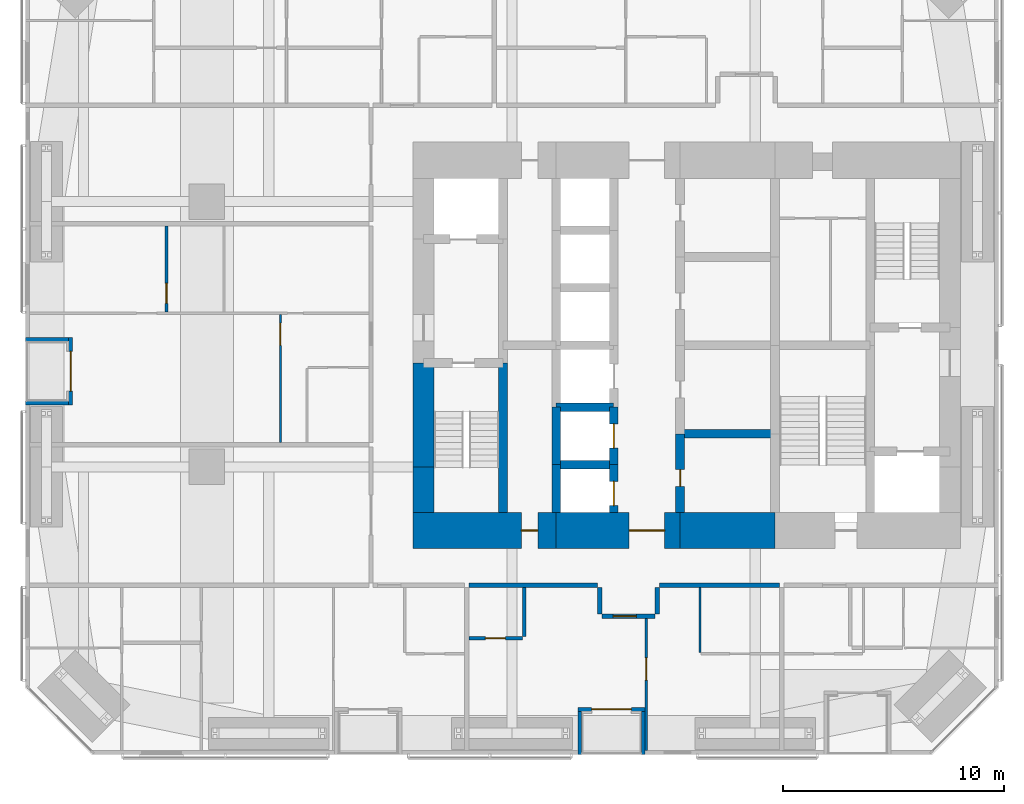
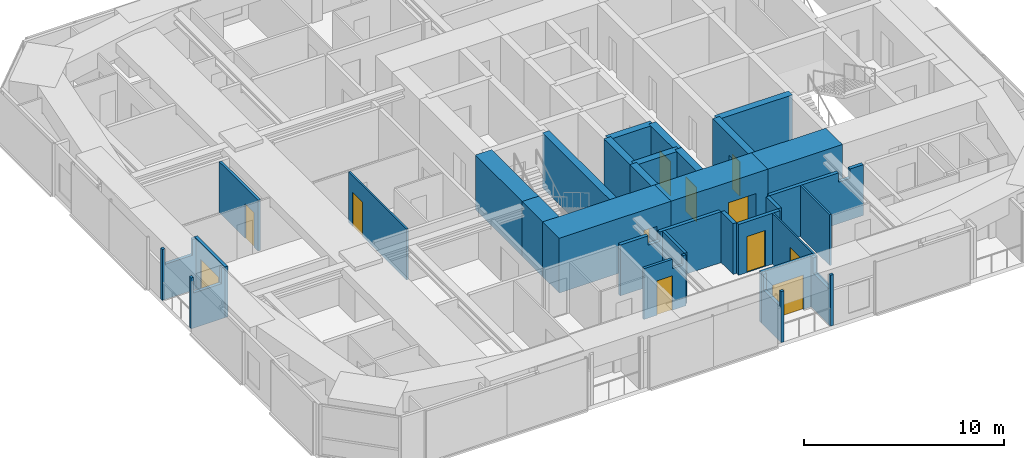
# One storey, part 17 of 23: 31 walls, 12 doors, 12 openings.
"""IFC4 building model written with IfcOpenShell, lengths in metres."""

from ifc_helpers import new_model, si_unit, direction, frame, frame_2d, origin, place, context, subcontext, project, spatial, polyline, rectangle, outline, extrude, material, layer, layer_set, constituent, constituent_set, type_object, element, fill, save


model = new_model("IFC4")

# Units and contexts
model_context = context("Model", 3, precision=1e-05, world=origin(), true_north=direction((0.0, 1.0)))
body_context = subcontext(model_context, "Body", "Model", "MODEL_VIEW")
ifc_project = project(units=[si_unit("LENGTHUNIT", "METRE"), si_unit("AREAUNIT", "SQUARE_METRE"), si_unit("VOLUMEUNIT", "CUBIC_METRE"), si_unit("PLANEANGLEUNIT", "RADIAN"), si_unit("MASSUNIT", "GRAM", prefix="KILO")], contexts=[model_context])

# Site, building, storey
site_placement = place(None, origin())
site = spatial("IfcSite", under=ifc_project, at=site_placement, CompositionType="ELEMENT")
building_placement = place(site_placement, origin())
building = spatial("IfcBuilding", under=site, at=building_placement, Name="Jalousie Tower", CompositionType="ELEMENT")
storey_placement = place(building_placement, frame((0.0, 0.0, 34.39990234375)))
storey = spatial("IfcBuildingStorey", under=building, at=storey_placement, Name="L08", CompositionType="ELEMENT", Elevation=34.39990234375)

# Wall, opening, door
ifc_material_1 = material(Name="Concrete block ASTM C90", Category="concrete")
ifc_constituent_1 = constituent(ifc_material_1, Name="Body")
ifc_material_2 = material(Name="Render")
ifc_constituent_2 = constituent(ifc_material_2, Name="Finish")
ifc_constituent_set_1 = constituent_set(constituents=[ifc_constituent_1, ifc_constituent_2])
wall_type_1 = type_object("IfcWallType", Name="BATHROOM WALL 150", PredefinedType="PLUMBINGWALL", material=ifc_constituent_set_1)
wall_1_placement = place(storey_placement, frame((22.050048828125, 5.25, 0.0), z_axis=(0.0, 0.0, 1.0), x_axis=(1.0, 0.0, 0.0)))
wall_1 = element("IfcWall", 1, at=wall_1_placement, inside=storey, type_object=wall_type_1, Name="Bathroom Wall 150 L08", PredefinedType="PLUMBINGWALL", context=body_context, shape_type="SweptSolid", body=[
    extrude(outline(polyline([(0.0, 0.0), (2.425048828125, 0.0), (2.425048828125, 3.110107421875), (2.262451171875, 3.110107421875), (2.262451171875, 2.541015625), (1.6376953125, 2.541015625), (1.6376953125, 3.110107421875), (0.0, 3.110107421875), (0.0, 0.0)])), frame((0.0, 0.074951171875, 0.0), z_axis=(0.0, -1.0, 0.0), x_axis=(1.0, 0.0, 0.0)), (0.0, 0.0, 1.0), 0.14990234375),
])
opening_1_placement = place(wall_1_placement, frame((0.75, 0.0, 0.0)))
opening_1 = element("IfcOpeningElement", 2, at=opening_1_placement, cuts=wall_1, Name="Opening D3", PredefinedType="OPENING", context=body_context, shape_type="SweptSolid", body=[
    extrude(rectangle(XDim=0.89990234375, YDim=2.10009765625, at=frame_2d((0.449951171875, 1.050048828125))), frame((0.0, 0.0849609375, 0.0), z_axis=(0.0, -1.0, 0.0), x_axis=(1.0, 0.0, 0.0)), (0.0, 0.0, 1.0), 0.169921875),
])
ifc_material_3 = material(Name="Timber door", Category="wood")
door_type_1 = type_object("IfcDoorType", Name="BATHROOM DOOR 900", OperationType="SINGLE_SWING_LEFT", PredefinedType="DOOR", material=ifc_material_3)
door_1_placement = place(opening_1_placement, origin())
door_1 = element("IfcDoor", 3, at=door_1_placement, inside=storey, type_object=door_type_1, Name="Apartment 0802 bathroom door", OperationType="SINGLE_SWING_LEFT", OverallHeight=2.10009765625, OverallWidth=0.89990234375, PredefinedType="DOOR", context=body_context, shape_type="SweptSolid", body=[
    extrude(rectangle(XDim=0.89990234375, YDim=2.10009765625, at=frame_2d((0.449951171875, 1.050048828125))), frame((0.0, 0.02490234375, 0.0), z_axis=(0.0, -1.0, 0.0), x_axis=(1.0, 0.0, 0.0)), (0.0, 0.0, 1.0), 0.050048828125),
])
fill(opening_1, door_1)

# Wall
wall_2_placement = place(storey_placement, frame((24.550048828125, 5.324951171875, 0.0), z_axis=(0.0, 0.0, 1.0), x_axis=(0.0, 1.0, 0.0)))
element("IfcWall", 4, at=wall_2_placement, inside=storey, type_object=wall_type_1, Name="Bathroom Wall 150 L08", PredefinedType="PLUMBINGWALL", context=body_context, shape_type="SweptSolid", body=[
    extrude(rectangle(XDim=2.22509765625, YDim=0.14990234375, at=frame_2d((1.112548828125, 0.0))), origin(), (0.0, 0.0, 1.0), 3.110107421875),
])

# Wall, opening, door
wall_3_placement = place(storey_placement, frame((8.375, 20.0, 0.0), z_axis=(0.0, 0.0, 1.0), x_axis=(0.0, 1.0, 0.0)))
wall_3 = element("IfcWall", 5, at=wall_3_placement, inside=storey, type_object=wall_type_1, Name="Bathroom Wall 150 L08", PredefinedType="PLUMBINGWALL", context=body_context, shape_type="SweptSolid", body=[
    extrude(rectangle(XDim=3.89990234375, YDim=0.14990234375, at=frame_2d((1.949951171875, 0.0))), origin(), (0.0, 0.0, 1.0), 3.110107421875),
])
opening_2_placement = place(wall_3_placement, frame((0.39990234375, 0.0, 0.0)))
opening_2 = element("IfcOpeningElement", 6, at=opening_2_placement, cuts=wall_3, Name="Opening D3", PredefinedType="OPENING", context=body_context, shape_type="SweptSolid", body=[
    extrude(rectangle(XDim=0.89990234375, YDim=2.10009765625, at=frame_2d((0.449951171875, 1.050048828125))), frame((0.0, 0.0849609375, 0.0), z_axis=(0.0, -1.0, 0.0), x_axis=(1.0, 0.0, 0.0)), (0.0, 0.0, 1.0), 0.169921875),
])
door_2_placement = place(opening_2_placement, frame((0.89990234375, 0.0, 0.0), z_axis=(0.0, 0.0, 1.0), x_axis=(-1.0, 0.0, 0.0)))
door_2 = element("IfcDoor", 7, at=door_2_placement, inside=storey, type_object=door_type_1, Name="Apartment 0806 bedroom 1 bathroom door", OperationType="SINGLE_SWING_RIGHT", OverallHeight=2.10009765625, OverallWidth=0.89990234375, PredefinedType="DOOR", context=body_context, shape_type="SweptSolid", body=[
    extrude(rectangle(XDim=0.89990234375, YDim=2.10009765625, at=frame_2d((0.449951171875, 1.050048828125))), frame((0.0, 0.02490234375, 0.0), z_axis=(0.0, -1.0, 0.0), x_axis=(1.0, 0.0, 0.0)), (0.0, 0.0, 1.0), 0.050048828125),
])
fill(opening_2, door_2)

ifc_material_4 = material(Name="Concrete f'c 120 MPa", Category="concrete")
ifc_layer_1 = layer(ifc_material_4, 1.64990234375)
ifc_layer_set_1 = layer_set([ifc_layer_1], Name="Concrete f'c 120 MPa")
wall_type_2 = type_object("IfcWallType", Name="CORE WALL 1650", PredefinedType="SHEAR", material=ifc_layer_set_1)
wall_4_placement = place(storey_placement, frame((19.52490234375, 10.125, 0.0), z_axis=(0.0, 0.0, 1.0), x_axis=(1.0, 0.0, 0.0)))
wall_4 = element("IfcWall", 8, at=wall_4_placement, inside=storey, type_object=wall_type_2, Name="Core wall SA L08", PredefinedType="SHEAR", context=body_context, shape_type="SweptSolid", body=[
    extrude(rectangle(XDim=6.47509765625, YDim=1.64990234375, at=frame_2d((3.237548828125, 0.0))), origin(), (0.0, 0.0, 1.0), 3.35009765625),
])
opening_3_placement = place(wall_4_placement, frame((4.89990234375, 0.0, 0.0)))
opening_3 = element("IfcOpeningElement", 9, at=opening_3_placement, cuts=wall_4, Name="Opening D16", PredefinedType="OPENING", context=body_context, shape_type="SweptSolid", body=[
    extrude(rectangle(XDim=0.75, YDim=2.10009765625, at=frame_2d((0.375, 1.050048828125))), frame((0.0, 0.8349609375, 0.0), z_axis=(0.0, -1.0, 0.0), x_axis=(1.0, 0.0, 0.0)), (0.0, 0.0, 1.0), 1.669921875),
])
ifc_material_5 = material(Name="Steel fire door", Category="steel")
door_type_2 = type_object("IfcDoorType", Name="RISER DOOR 750", OperationType="SINGLE_SWING_LEFT", PredefinedType="DOOR", material=ifc_material_5)
door_3_placement = place(opening_3_placement, origin())
door_3 = element("IfcDoor", 10, at=door_3_placement, inside=storey, type_object=door_type_2, Name="South riser door", OperationType="SINGLE_SWING_LEFT", OverallHeight=2.10009765625, OverallWidth=0.75, PredefinedType="DOOR", context=body_context, shape_type="SweptSolid", body=[
    extrude(rectangle(XDim=0.75, YDim=2.10009765625, at=frame_2d((0.375, 1.050048828125))), frame((0.0, 0.02490234375, 0.0), z_axis=(0.0, -1.0, 0.0), x_axis=(1.0, 0.0, 0.0)), (0.0, 0.0, 1.0), 0.050048828125),
])
fill(opening_3, door_3)

wall_5_placement = place(storey_placement, frame((26.0, 10.125, 0.0), z_axis=(0.0, 0.0, 1.0), x_axis=(1.0, 0.0, 0.0)))
wall_5 = element("IfcWall", 11, at=wall_5_placement, inside=storey, type_object=wall_type_2, Name="Core wall SB L08", PredefinedType="SHEAR", context=body_context, shape_type="SweptSolid", body=[
    extrude(rectangle(XDim=5.60009765625, YDim=1.64990234375, at=frame_2d((2.800048828125, 0.0))), origin(), (0.0, 0.0, 1.0), 3.35009765625),
])
opening_4_placement = place(wall_5_placement, frame((3.300048828125, 0.0, 0.0)))
opening_4 = element("IfcOpeningElement", 12, at=opening_4_placement, cuts=wall_5, Name="Opening D15", PredefinedType="OPENING", context=body_context, shape_type="SweptSolid", body=[
    extrude(rectangle(XDim=1.60009765625, YDim=2.10009765625, at=frame_2d((0.800048828125, 1.050048828125))), frame((0.0, 0.8349609375, 0.0), z_axis=(0.0, -1.0, 0.0), x_axis=(1.0, 0.0, 0.0)), (0.0, 0.0, 1.0), 1.669921875),
])
ifc_material_6 = material(Name="Steel fire door", Category="steel")
door_type_3 = type_object("IfcDoorType", Name="LIFT LOBBY DOOR 1600", OperationType="DOUBLE_DOOR_SINGLE_SWING", PredefinedType="DOOR", material=ifc_material_6)
door_4_placement = place(opening_4_placement, origin())
door_4 = element("IfcDoor", 13, at=door_4_placement, inside=storey, type_object=door_type_3, Name="Lift lobby south door", OperationType="DOUBLE_DOOR_SINGLE_SWING", OverallHeight=2.10009765625, OverallWidth=1.60009765625, PredefinedType="DOOR", context=body_context, shape_type="SweptSolid", body=[
    extrude(rectangle(XDim=1.60009765625, YDim=2.10009765625, at=frame_2d((0.800048828125, 1.050048828125))), frame((0.0, 0.02490234375, 0.0), z_axis=(0.0, -1.0, 0.0), x_axis=(1.0, 0.0, 0.0)), (0.0, 0.0, 1.0), 0.050048828125),
])
fill(opening_4, door_4)

# Walls
wall_6_placement = place(storey_placement, frame((31.60009765625, 10.125, 0.0), z_axis=(0.0, 0.0, 1.0), x_axis=(1.0, 0.0, 0.0)))
element("IfcWall", 14, at=wall_6_placement, inside=storey, type_object=wall_type_2, Name="Core wall SC L08", PredefinedType="SHEAR", context=body_context, shape_type="SweptSolid", body=[
    extrude(rectangle(XDim=4.2998046875, YDim=1.64990234375, at=frame_2d((2.14990234375, 0.0))), origin(), (0.0, 0.0, 1.0), 3.35009765625),
])
ifc_material_7 = material(Name="Concrete f'c 120 MPa", Category="concrete")
ifc_layer_2 = layer(ifc_material_7, 0.39990234375)
ifc_layer_set_2 = layer_set([ifc_layer_2], Name="Concrete f'c 120 MPa")
wall_type_3 = type_object("IfcWallType", Name="CORE WALL 400", PredefinedType="SHEAR", material=ifc_layer_set_2)
wall_7_placement = place(storey_placement, frame((23.60009765625, 10.949951171875, 0.0), z_axis=(0.0, 0.0, 1.0), x_axis=(0.0, 1.0, 0.0)))
element("IfcWall", 15, at=wall_7_placement, inside=storey, type_object=wall_type_3, Name="Core wall X23.6A L08", PredefinedType="SHEAR", context=body_context, shape_type="SweptSolid", body=[
    extrude(rectangle(XDim=6.75, YDim=0.39990234375, at=frame_2d((3.375, 0.0))), origin(), (0.0, 0.0, 1.0), 3.35009765625),
])
wall_8_placement = place(storey_placement, frame((26.0, 10.949951171875, 0.0), z_axis=(0.0, 0.0, 1.0), x_axis=(0.0, 1.0, 0.0)))
element("IfcWall", 16, at=wall_8_placement, inside=storey, type_object=wall_type_3, Name="Core wall X26A L08", PredefinedType="SHEAR", context=body_context, shape_type="SweptSolid", body=[
    extrude(rectangle(XDim=2.150146484375, YDim=0.39990234375, at=frame_2d((1.0751953125, 0.0))), origin(), (0.0, 0.0, 1.0), 3.35009765625),
])
wall_9_placement = place(storey_placement, frame((26.0, 13.10009765625, 0.0), z_axis=(0.0, 0.0, 1.0), x_axis=(0.0, 1.0, 0.0)))
element("IfcWall", 17, at=wall_9_placement, inside=storey, type_object=wall_type_3, Name="Core wall X26B L08", PredefinedType="SHEAR", context=body_context, shape_type="SweptSolid", body=[
    extrude(rectangle(XDim=2.599853515625, YDim=0.39990234375, at=frame_2d((1.2998046875, 0.0))), origin(), (0.0, 0.0, 1.0), 3.35009765625),
])

# Wall, opening, door
wall_10_placement = place(storey_placement, frame((28.60009765625, 10.949951171875, 0.0), z_axis=(0.0, 0.0, 1.0), x_axis=(0.0, 1.0, 0.0)))
wall_10 = element("IfcWall", 18, at=wall_10_placement, inside=storey, type_object=wall_type_3, Name="Core wall X28.6A L08", PredefinedType="SHEAR", context=body_context, shape_type="SweptSolid", body=[
    extrude(rectangle(XDim=2.150146484375, YDim=0.39990234375, at=frame_2d((1.0751953125, 0.0))), origin(), (0.0, 0.0, 1.0), 3.35009765625),
])
opening_5_placement = place(wall_10_placement, frame((0.300048828125, 0.0, 0.0)))
opening_5 = element("IfcOpeningElement", 19, at=opening_5_placement, cuts=wall_10, Name="Opening LD1", PredefinedType="OPENING", context=body_context, shape_type="SweptSolid", body=[
    extrude(rectangle(XDim=1.10009765625, YDim=2.10009765625, at=frame_2d((0.550048828125, 1.050048828125))), frame((0.0, 0.2099609375, 0.0), z_axis=(0.0, -1.0, 0.0), x_axis=(1.0, 0.0, 0.0)), (0.0, 0.0, 1.0), 0.419921875),
])
ifc_material_8 = material(Name="Steel lift landing door", Category="steel")
door_type_4 = type_object("IfcDoorType", Name="LIFT LANDING DOOR 1100", OperationType="SLIDING_TO_LEFT", PredefinedType="DOOR", material=ifc_material_8)
door_5_placement = place(opening_5_placement, origin())
door_5 = element("IfcDoor", 20, at=door_5_placement, inside=storey, type_object=door_type_4, Name="Lift P1 landing door", OperationType="SLIDING_TO_LEFT", OverallHeight=2.10009765625, OverallWidth=1.10009765625, PredefinedType="DOOR", context=body_context, shape_type="SweptSolid", body=[
    extrude(rectangle(XDim=1.10009765625, YDim=2.10009765625, at=frame_2d((0.550048828125, 1.050048828125))), frame((0.0, 0.02490234375, 0.0), z_axis=(0.0, -1.0, 0.0), x_axis=(1.0, 0.0, 0.0)), (0.0, 0.0, 1.0), 0.050048828125),
])
fill(opening_5, door_5)

wall_11_placement = place(storey_placement, frame((28.60009765625, 13.10009765625, 0.0), z_axis=(0.0, 0.0, 1.0), x_axis=(0.0, 1.0, 0.0)))
wall_11 = element("IfcWall", 21, at=wall_11_placement, inside=storey, type_object=wall_type_3, Name="Core wall X28.6B L08", PredefinedType="SHEAR", context=body_context, shape_type="SweptSolid", body=[
    extrude(rectangle(XDim=2.599853515625, YDim=0.39990234375, at=frame_2d((1.2998046875, 0.0))), origin(), (0.0, 0.0, 1.0), 3.35009765625),
])
opening_6_placement = place(wall_11_placement, frame((0.75, 0.0, 0.0)))
opening_6 = element("IfcOpeningElement", 22, at=opening_6_placement, cuts=wall_11, Name="Opening LD1", PredefinedType="OPENING", context=body_context, shape_type="SweptSolid", body=[
    extrude(rectangle(XDim=1.10009765625, YDim=2.10009765625, at=frame_2d((0.550048828125, 1.050048828125))), frame((0.0, 0.2099609375, 0.0), z_axis=(0.0, -1.0, 0.0), x_axis=(1.0, 0.0, 0.0)), (0.0, 0.0, 1.0), 0.419921875),
])
door_6_placement = place(opening_6_placement, origin())
door_6 = element("IfcDoor", 23, at=door_6_placement, inside=storey, type_object=door_type_4, Name="Lift P2 landing door", OperationType="SLIDING_TO_LEFT", OverallHeight=2.10009765625, OverallWidth=1.10009765625, PredefinedType="DOOR", context=body_context, shape_type="SweptSolid", body=[
    extrude(rectangle(XDim=1.10009765625, YDim=2.10009765625, at=frame_2d((0.550048828125, 1.050048828125))), frame((0.0, 0.02490234375, 0.0), z_axis=(0.0, -1.0, 0.0), x_axis=(1.0, 0.0, 0.0)), (0.0, 0.0, 1.0), 0.050048828125),
])
fill(opening_6, door_6)

wall_12_placement = place(storey_placement, frame((31.60009765625, 10.949951171875, 0.0), z_axis=(0.0, 0.0, 1.0), x_axis=(0.0, 1.0, 0.0)))
wall_12 = element("IfcWall", 24, at=wall_12_placement, inside=storey, type_object=wall_type_3, Name="Core wall X31.6A L08", PredefinedType="SHEAR", context=body_context, shape_type="SweptSolid", body=[
    extrude(rectangle(XDim=3.550048828125, YDim=0.39990234375, at=frame_2d((1.77490234375, 0.0))), origin(), (0.0, 0.0, 1.0), 3.35009765625),
])
opening_7_placement = place(wall_12_placement, frame((1.175048828125, 0.0, 0.0)))
opening_7 = element("IfcOpeningElement", 25, at=opening_7_placement, cuts=wall_12, Name="Opening D16", PredefinedType="OPENING", context=body_context, shape_type="SweptSolid", body=[
    extrude(rectangle(XDim=0.75, YDim=2.10009765625, at=frame_2d((0.375, 1.050048828125))), frame((0.0, 0.2099609375, 0.0), z_axis=(0.0, -1.0, 0.0), x_axis=(1.0, 0.0, 0.0)), (0.0, 0.0, 1.0), 0.419921875),
])
door_7_placement = place(opening_7_placement, frame((0.75, 0.0, 0.0), z_axis=(0.0, 0.0, 1.0), x_axis=(-1.0, 0.0, 0.0)))
door_7 = element("IfcDoor", 26, at=door_7_placement, inside=storey, type_object=door_type_2, Name="Refuse Room door", OperationType="SINGLE_SWING_RIGHT", OverallHeight=2.10009765625, OverallWidth=0.75, PredefinedType="DOOR", context=body_context, shape_type="SweptSolid", body=[
    extrude(rectangle(XDim=0.75, YDim=2.10009765625, at=frame_2d((0.375, 1.050048828125))), frame((0.0, 0.02490234375, 0.0), z_axis=(0.0, -1.0, 0.0), x_axis=(1.0, 0.0, 0.0)), (0.0, 0.0, 1.0), 0.050048828125),
])
fill(opening_7, door_7)

# Walls
for number, where, z_axis, x_axis, name in (
    (27, (26.0, 13.10009765625, 0.0), (0.0, 0.0, 1.0), (1.0, 0.0, 0.0), "Core wall Y26-13.1 L08"),
    (28, (26.0, 15.699951171875, 0.0), (0.0, 0.0, 1.0), (1.0, 0.0, 0.0), "Core wall Y26-15.7 L08"),
):
    element("IfcWall", number, at=place(storey_placement, frame(where, z_axis=z_axis, x_axis=x_axis)), inside=storey, type_object=wall_type_3, Name=name, PredefinedType="SHEAR", context=body_context, shape_type="SweptSolid", body=[
        extrude(rectangle(XDim=2.60009765625, YDim=0.39990234375, at=frame_2d((1.300048828125, 0.0))), origin(), (0.0, 0.0, 1.0), 3.35009765625),
    ])
wall_13_placement = place(storey_placement, frame((31.60009765625, 14.5, 0.0), z_axis=(0.0, 0.0, 1.0), x_axis=(1.0, 0.0, 0.0)))
element("IfcWall", 29, at=wall_13_placement, inside=storey, type_object=wall_type_3, Name="Core wall Y31.6-14.5 L08", PredefinedType="SHEAR", context=body_context, shape_type="SweptSolid", body=[
    extrude(rectangle(XDim=4.2998046875, YDim=0.39990234375, at=frame_2d((2.14990234375, 0.0))), origin(), (0.0, 0.0, 1.0), 3.35009765625),
])
ifc_material_9 = material(Name="Concrete f'c 120 MPa", Category="concrete")
ifc_layer_3 = layer(ifc_material_9, 0.949951171875)
ifc_layer_set_3 = layer_set([ifc_layer_3], Name="Concrete f'c 120 MPa")
wall_type_4 = type_object("IfcWallType", Name="CORE WALL 950", PredefinedType="SHEAR", material=ifc_layer_set_3)
wall_14_placement = place(storey_placement, frame((20.0, 17.699951171875, 0.0), z_axis=(0.0, 0.0, 1.0), x_axis=(0.0, -1.0, 0.0)))
element("IfcWall", 30, at=wall_14_placement, inside=storey, type_object=wall_type_4, Name="Core wall WC L08", PredefinedType="SHEAR", context=body_context, shape_type="SweptSolid", body=[
    extrude(rectangle(XDim=4.699951171875, YDim=0.949951171875, at=frame_2d((2.35009765625, 0.0))), origin(), (0.0, 0.0, 1.0), 3.35009765625),
])
wall_15_placement = place(storey_placement, frame((20.0, 13.0, 0.0), z_axis=(0.0, 0.0, 1.0), x_axis=(0.0, -1.0, 0.0)))
element("IfcWall", 31, at=wall_15_placement, inside=storey, type_object=wall_type_4, Name="Core wall WD L08", PredefinedType="SHEAR", context=body_context, shape_type="SweptSolid", body=[
    extrude(rectangle(XDim=2.050048828125, YDim=0.949951171875, at=frame_2d((1.02490234375, 0.0))), origin(), (0.0, 0.0, 1.0), 3.35009765625),
])
ifc_material_10 = material(Name="Concrete block ASTM C90", Category="concrete")
ifc_constituent_3 = constituent(ifc_material_10, Name="Body")
ifc_material_11 = material(Name="Render")
ifc_constituent_4 = constituent(ifc_material_11, Name="Finish")
ifc_constituent_set_2 = constituent_set(constituents=[ifc_constituent_3, ifc_constituent_4])
wall_type_5 = type_object("IfcWallType", Name="CORRIDOR WALL 200", PredefinedType="PARTITIONING", material=ifc_constituent_set_2)
wall_16_placement = place(storey_placement, frame((22.050048828125, 7.64990234375, 0.0), z_axis=(0.0, 0.0, 1.0), x_axis=(1.0, 0.0, 0.0)))
element("IfcWall", 32, at=wall_16_placement, inside=storey, type_object=wall_type_5, Name="Corridor Wall 200 L08", PredefinedType="PARTITIONING", context=body_context, shape_type="SweptSolid", body=[
    extrude(outline(polyline([(0.0, 0.0), (5.824951171875, 0.0), (5.824951171875, 3.110107421875), (2.287353515625, 3.110107421875), (2.287353515625, 2.541015625), (1.612548828125, 2.541015625), (1.612548828125, 3.110107421875), (0.0, 3.110107421875), (0.0, 0.0)])), frame((0.0, 0.10009765625, 0.0), z_axis=(0.0, -1.0, 0.0), x_axis=(1.0, 0.0, 0.0)), (0.0, 0.0, 1.0), 0.199951171875),
])
wall_17_placement = place(storey_placement, frame((30.675048828125, 7.64990234375, 0.0), z_axis=(0.0, 0.0, 1.0), x_axis=(1.0, 0.0, 0.0)))
element("IfcWall", 33, at=wall_17_placement, inside=storey, type_object=wall_type_5, Name="Corridor Wall 200 L08", PredefinedType="PARTITIONING", context=body_context, shape_type="SweptSolid", body=[
    extrude(outline(polyline([(0.0, 0.0), (5.425048828125, 0.0), (5.425048828125, 3.110107421875), (4.662353515625, 3.110107421875), (4.662353515625, 2.541015625), (3.987548828125, 2.541015625), (3.987548828125, 3.110107421875), (0.0, 3.110107421875), (0.0, 0.0)])), frame((0.0, 0.10009765625, 0.0), z_axis=(0.0, -1.0, 0.0), x_axis=(1.0, 0.0, 0.0)), (0.0, 0.0, 1.0), 0.199951171875),
])

# Wall, opening, door
wall_18_placement = place(storey_placement, frame((28.074951171875, 6.25, 0.0), z_axis=(0.0, 0.0, 1.0), x_axis=(1.0, 0.0, 0.0)))
wall_18 = element("IfcWall", 34, at=wall_18_placement, inside=storey, type_object=wall_type_5, Name="Corridor Wall 200 L08", PredefinedType="PARTITIONING", context=body_context, shape_type="SweptSolid", body=[
    extrude(rectangle(XDim=2.400146484375, YDim=0.199951171875, at=frame_2d((1.2001953125, 0.0))), origin(), (0.0, 0.0, 1.0), 3.110107421875),
])
opening_8_placement = place(wall_18_placement, frame((0.5, 0.0, 0.0)))
opening_8 = element("IfcOpeningElement", 35, at=opening_8_placement, cuts=wall_18, Name="Opening D1", PredefinedType="OPENING", context=body_context, shape_type="SweptSolid", body=[
    extrude(rectangle(XDim=1.050048828125, YDim=2.199951171875, at=frame_2d((0.52490234375, 1.10009765625))), frame((0.0, 0.10986328125, 0.0), z_axis=(0.0, -1.0, 0.0), x_axis=(1.0, 0.0, 0.0)), (0.0, 0.0, 1.0), 0.219970703125),
])
ifc_material_12 = material(Name="Timber fire door", Category="wood")
door_type_5 = type_object("IfcDoorType", Name="APARTMENT ENTRANCE DOOR 1050", OperationType="SINGLE_SWING_LEFT", PredefinedType="DOOR", material=ifc_material_12)
door_8_placement = place(opening_8_placement, frame((1.050048828125, 0.0, 0.0), z_axis=(0.0, 0.0, 1.0), x_axis=(-1.0, 0.0, 0.0)))
door_8 = element("IfcDoor", 36, at=door_8_placement, inside=storey, type_object=door_type_5, Name="Apartment 0802 entrance", OperationType="SINGLE_SWING_LEFT", OverallHeight=2.199951171875, OverallWidth=1.050048828125, PredefinedType="DOOR", context=body_context, shape_type="SweptSolid", body=[
    extrude(rectangle(XDim=1.050048828125, YDim=2.199951171875, at=frame_2d((0.52490234375, 1.10009765625))), frame((0.0, 0.02490234375, 0.0), z_axis=(0.0, -1.0, 0.0), x_axis=(1.0, 0.0, 0.0)), (0.0, 0.0, 1.0), 0.050048828125),
])
fill(opening_8, door_8)

# Walls
for number, where, z_axis, x_axis, name in (
    (37, (27.97509765625, 7.550048828125, 0.0), (0.0, 0.0, 1.0), (0.0, -1.0, 0.0), "Corridor Wall 200 L08"),
    (38, (30.574951171875, 7.550048828125, 0.0), (0.0, 0.0, 1.0), (0.0, -1.0, 0.0), "Corridor Wall 200 L08"),
):
    element("IfcWall", number, at=place(storey_placement, frame(where, z_axis=z_axis, x_axis=x_axis)), inside=storey, type_object=wall_type_5, Name=name, PredefinedType="PARTITIONING", context=body_context, shape_type="SweptSolid", body=[
        extrude(rectangle(XDim=1.199951171875, YDim=0.199951171875, at=frame_2d((0.60009765625, 0.0))), origin(), (0.0, 0.0, 1.0), 3.110107421875),
    ])

# Wall, opening, door
ifc_material_13 = material(Name="Concrete f'c 40 MPa", Category="concrete")
ifc_constituent_5 = constituent(ifc_material_13, Name="Body")
ifc_material_14 = material(Name="Render, pastel coral")
ifc_constituent_6 = constituent(ifc_material_14, Name="Finish")
ifc_constituent_set_3 = constituent_set(constituents=[ifc_constituent_5, ifc_constituent_6])
wall_type_6 = type_object("IfcWallType", Name="EXTERNAL WALL 175 CORAL RENDER", PredefinedType="SOLIDWALL", material=ifc_constituent_set_3)
wall_19_placement = place(storey_placement, frame((26.97509765625, 2.03759765625, 0.0), z_axis=(0.0, 0.0, 1.0), x_axis=(1.0, 0.0, 0.0)))
wall_19 = element("IfcWall", 39, at=wall_19_placement, inside=storey, type_object=wall_type_6, Name="External Wall 175 Coral Render L08", PredefinedType="SOLIDWALL", context=body_context, shape_type="SweptSolid", body=[
    extrude(rectangle(XDim=3.0498046875, YDim=0.175048828125, at=frame_2d((1.52490234375, 0.0))), origin(), (0.0, 0.0, 1.0), 3.110107421875),
])
opening_9_placement = place(wall_19_placement, frame((0.625, 0.0, 0.0)))
opening_9 = element("IfcOpeningElement", 40, at=opening_9_placement, cuts=wall_19, Name="Opening D-BAL21", PredefinedType="OPENING", context=body_context, shape_type="SweptSolid", body=[
    extrude(rectangle(XDim=1.800048828125, YDim=2.10009765625, at=frame_2d((0.89990234375, 1.050048828125))), frame((0.0, 0.097412109375, 0.0), z_axis=(0.0, -1.0, 0.0), x_axis=(1.0, 0.0, 0.0)), (0.0, 0.0, 1.0), 0.195068359375),
])
ifc_material_15 = material(Name="Aluminium frame, impact-rated glazing", Category="aluminium")
door_type_6 = type_object("IfcDoorType", Name="BALCONY DOOR 1800x2100", OperationType="SLIDING_TO_LEFT", PredefinedType="DOOR", material=ifc_material_15)
door_9_placement = place(opening_9_placement, origin())
door_9 = element("IfcDoor", 41, at=door_9_placement, inside=storey, type_object=door_type_6, Name="Apartment 0802 studio living and sleeping room loggia door", OperationType="SLIDING_TO_LEFT", OverallHeight=2.10009765625, OverallWidth=1.800048828125, PredefinedType="DOOR", context=body_context, shape_type="SweptSolid", body=[
    extrude(rectangle(XDim=1.800048828125, YDim=2.10009765625, at=frame_2d((0.89990234375, 1.050048828125))), frame((0.0, 0.02490234375, 0.0), z_axis=(0.0, -1.0, 0.0), x_axis=(1.0, 0.0, 0.0)), (0.0, 0.0, 1.0), 0.050048828125),
])
fill(opening_9, door_9)

# Walls
for number, where, z_axis, x_axis, name in (
    (42, (27.0625, 0.0, 0.0), (0.0, 0.0, 1.0), (0.0, 1.0, 0.0), "External Wall 175 Coral Render L08"),
    (43, (29.9375, 0.0, 0.0), (0.0, 0.0, 1.0), (0.0, 1.0, 0.0), "External Wall 175 Coral Render L08"),
):
    element("IfcWall", number, at=place(storey_placement, frame(where, z_axis=z_axis, x_axis=x_axis)), inside=storey, type_object=wall_type_6, Name=name, PredefinedType="SOLIDWALL", context=body_context, shape_type="SweptSolid", body=[
        extrude(outline(polyline([(0.0, 0.0), (1.949951171875, 0.0), (1.949951171875, 3.110107421875), (1.75, 3.110107421875), (1.75, 2.150146484375), (0.14990234375, 2.150146484375), (0.14990234375, 3.110107421875), (0.0, 3.110107421875), (0.0, 0.0)])), frame((0.0, 0.08740234375, 0.0), z_axis=(0.0, -1.0, 0.0), x_axis=(1.0, 0.0, 0.0)), (0.0, 0.0, 1.0), 0.175048828125),
    ])

# Wall, opening, door
wall_20_placement = place(storey_placement, frame((4.03759765625, 18.85009765625, 0.0), z_axis=(0.0, 0.0, 1.0), x_axis=(0.0, -1.0, 0.0)))
wall_20 = element("IfcWall", 44, at=wall_20_placement, inside=storey, type_object=wall_type_6, Name="External Wall 175 Coral Render L08", PredefinedType="SOLIDWALL", context=body_context, shape_type="SweptSolid", body=[
    extrude(rectangle(XDim=3.050048828125, YDim=0.175048828125, at=frame_2d((1.52490234375, 0.0))), origin(), (0.0, 0.0, 1.0), 3.110107421875),
])
opening_10_placement = place(wall_20_placement, frame((0.625, 0.0, 0.0)))
opening_10 = element("IfcOpeningElement", 45, at=opening_10_placement, cuts=wall_20, Name="Opening D-BAL21", PredefinedType="OPENING", context=body_context, shape_type="SweptSolid", body=[
    extrude(rectangle(XDim=1.800048828125, YDim=2.10009765625, at=frame_2d((0.89990234375, 1.050048828125))), frame((0.0, 0.097412109375, 0.0), z_axis=(0.0, -1.0, 0.0), x_axis=(1.0, 0.0, 0.0)), (0.0, 0.0, 1.0), 0.195068359375),
])
door_10_placement = place(opening_10_placement, origin())
door_10 = element("IfcDoor", 46, at=door_10_placement, inside=storey, type_object=door_type_6, Name="Apartment 0806 living room loggia door", OperationType="SLIDING_TO_LEFT", OverallHeight=2.10009765625, OverallWidth=1.800048828125, PredefinedType="DOOR", context=body_context, shape_type="SweptSolid", body=[
    extrude(rectangle(XDim=1.800048828125, YDim=2.10009765625, at=frame_2d((0.89990234375, 1.050048828125))), frame((0.0, 0.02490234375, 0.0), z_axis=(0.0, -1.0, 0.0), x_axis=(1.0, 0.0, 0.0)), (0.0, 0.0, 1.0), 0.050048828125),
])
fill(opening_10, door_10)

# Walls
for number, where, z_axis, x_axis, name in (
    (47, (2.0, 18.762451171875, 0.0), (0.0, 0.0, 1.0), (1.0, 0.0, 0.0), "External Wall 175 Coral Render L08"),
    (48, (2.0, 15.887451171875, 0.0), (0.0, 0.0, 1.0), (1.0, 0.0, 0.0), "External Wall 175 Coral Render L08"),
):
    element("IfcWall", number, at=place(storey_placement, frame(where, z_axis=z_axis, x_axis=x_axis)), inside=storey, type_object=wall_type_6, Name=name, PredefinedType="SOLIDWALL", context=body_context, shape_type="SweptSolid", body=[
        extrude(outline(polyline([(0.0, 0.0), (1.949951171875, 0.0), (1.949951171875, 3.110107421875), (1.75, 3.110107421875), (1.75, 2.150146484375), (0.14990234375, 2.150146484375), (0.14990234375, 3.110107421875), (0.0, 3.110107421875), (0.0, 0.0)])), frame((0.0, 0.08740234375, 0.0), z_axis=(0.0, -1.0, 0.0), x_axis=(1.0, 0.0, 0.0)), (0.0, 0.0, 1.0), 0.175048828125),
    ])
ifc_material_16 = material(Name="Gypsum board", Category="gypsum")
ifc_constituent_7 = constituent(ifc_material_16, Name="Body")
ifc_material_17 = material(Name="Light-gauge steel studs ASTM A653 SS Grade 33", Category="steel")
ifc_constituent_8 = constituent(ifc_material_17, Name="Framing")
ifc_constituent_set_4 = constituent_set(constituents=[ifc_constituent_7, ifc_constituent_8])
wall_type_7 = type_object("IfcWallType", Name="PARTITION 100", PredefinedType="PARTITIONING", material=ifc_constituent_set_4)
wall_21_placement = place(storey_placement, frame((32.5, 4.60009765625, 0.0), z_axis=(0.0, 0.0, 1.0), x_axis=(0.0, 1.0, 0.0)))
element("IfcWall", 49, at=wall_21_placement, inside=storey, type_object=wall_type_7, Name="Partition 100 L08", PredefinedType="PARTITIONING", context=body_context, shape_type="SweptSolid", body=[
    extrude(rectangle(XDim=2.949951171875, YDim=0.10009765625, at=frame_2d((1.47509765625, 0.0))), origin(), (0.0, 0.0, 1.0), 3.110107421875),
])

# Wall, opening, door
wall_22_placement = place(storey_placement, frame((30.074951171875, 0.175048828125, 0.0), z_axis=(0.0, 0.0, 1.0), x_axis=(0.0, 1.0, 0.0)))
wall_22 = element("IfcWall", 50, at=wall_22_placement, inside=storey, type_object=wall_type_7, Name="Partition 100 L08", PredefinedType="PARTITIONING", context=body_context, shape_type="SweptSolid", body=[
    extrude(outline(polyline([(0.0, 0.0), (5.974853515625, 0.0), (5.97509765625, 3.110107421875), (1.635009765625, 3.110107421875), (1.635009765625, 2.150146484375), (0.0, 2.150146484375), (0.0, 3.110107421875), (0.0, 0.0)])), frame((0.0, 0.050048828125, 0.0), z_axis=(0.0, -1.0, 0.0), x_axis=(1.0, 0.0, 0.0)), (0.0, 0.0, 1.0), 0.10009765625),
])
opening_11_placement = place(wall_22_placement, frame((3.1875, 0.0, 0.0)))
opening_11 = element("IfcOpeningElement", 51, at=opening_11_placement, cuts=wall_22, Name="Opening D6", PredefinedType="OPENING", context=body_context, shape_type="SweptSolid", body=[
    extrude(rectangle(XDim=1.0, YDim=2.10009765625, at=frame_2d((0.5, 1.050048828125))), frame((0.0, 0.06005859375, 0.0), z_axis=(0.0, -1.0, 0.0), x_axis=(1.0, 0.0, 0.0)), (0.0, 0.0, 1.0), 0.1201171875),
])
ifc_material_18 = material(Name="Timber door", Category="wood")
door_type_7 = type_object("IfcDoorType", Name="INTERNAL DOOR 1000", OperationType="SINGLE_SWING_LEFT", PredefinedType="DOOR", material=ifc_material_18)
door_11_placement = place(opening_11_placement, frame((1.0, 0.0, 0.0), z_axis=(0.0, 0.0, 1.0), x_axis=(-1.0, 0.0, 0.0)))
door_11 = element("IfcDoor", 52, at=door_11_placement, inside=storey, type_object=door_type_7, Name="Apartment 0802 dining room door", OperationType="SINGLE_SWING_LEFT", OverallHeight=2.10009765625, OverallWidth=1.0, PredefinedType="DOOR", context=body_context, shape_type="SweptSolid", body=[
    extrude(rectangle(XDim=1.0, YDim=2.10009765625, at=frame_2d((0.5, 1.050048828125))), frame((0.0, 0.02490234375, 0.0), z_axis=(0.0, -1.0, 0.0), x_axis=(1.0, 0.0, 0.0)), (0.0, 0.0, 1.0), 0.050048828125),
])
fill(opening_11, door_11)

wall_23_placement = place(storey_placement, frame((13.52490234375, 14.10009765625, 0.0), z_axis=(0.0, 0.0, 1.0), x_axis=(0.0, 1.0, 0.0)))
wall_23 = element("IfcWall", 53, at=wall_23_placement, inside=storey, type_object=wall_type_7, Name="Partition 100 L08", PredefinedType="PARTITIONING", context=body_context, shape_type="SweptSolid", body=[
    extrude(rectangle(XDim=5.7998046875, YDim=0.10009765625, at=frame_2d((2.89990234375, 0.0))), origin(), (0.0, 0.0, 1.0), 3.110107421875),
])
opening_12_placement = place(wall_23_placement, frame((4.39990234375, 0.0, 0.0)))
opening_12 = element("IfcOpeningElement", 54, at=opening_12_placement, cuts=wall_23, Name="Opening D6", PredefinedType="OPENING", context=body_context, shape_type="SweptSolid", body=[
    extrude(rectangle(XDim=1.0, YDim=2.10009765625, at=frame_2d((0.5, 1.050048828125))), frame((0.0, 0.06005859375, 0.0), z_axis=(0.0, -1.0, 0.0), x_axis=(1.0, 0.0, 0.0)), (0.0, 0.0, 1.0), 0.1201171875),
])
door_12_placement = place(opening_12_placement, origin())
door_12 = element("IfcDoor", 55, at=door_12_placement, inside=storey, type_object=door_type_7, Name="Apartment 0806 living room door", OperationType="SINGLE_SWING_RIGHT", OverallHeight=2.10009765625, OverallWidth=1.0, PredefinedType="DOOR", context=body_context, shape_type="SweptSolid", body=[
    extrude(rectangle(XDim=1.0, YDim=2.10009765625, at=frame_2d((0.5, 1.050048828125))), frame((0.0, 0.02490234375, 0.0), z_axis=(0.0, -1.0, 0.0), x_axis=(1.0, 0.0, 0.0)), (0.0, 0.0, 1.0), 0.050048828125),
])
fill(opening_12, door_12)

save(model, "model.ifc")
